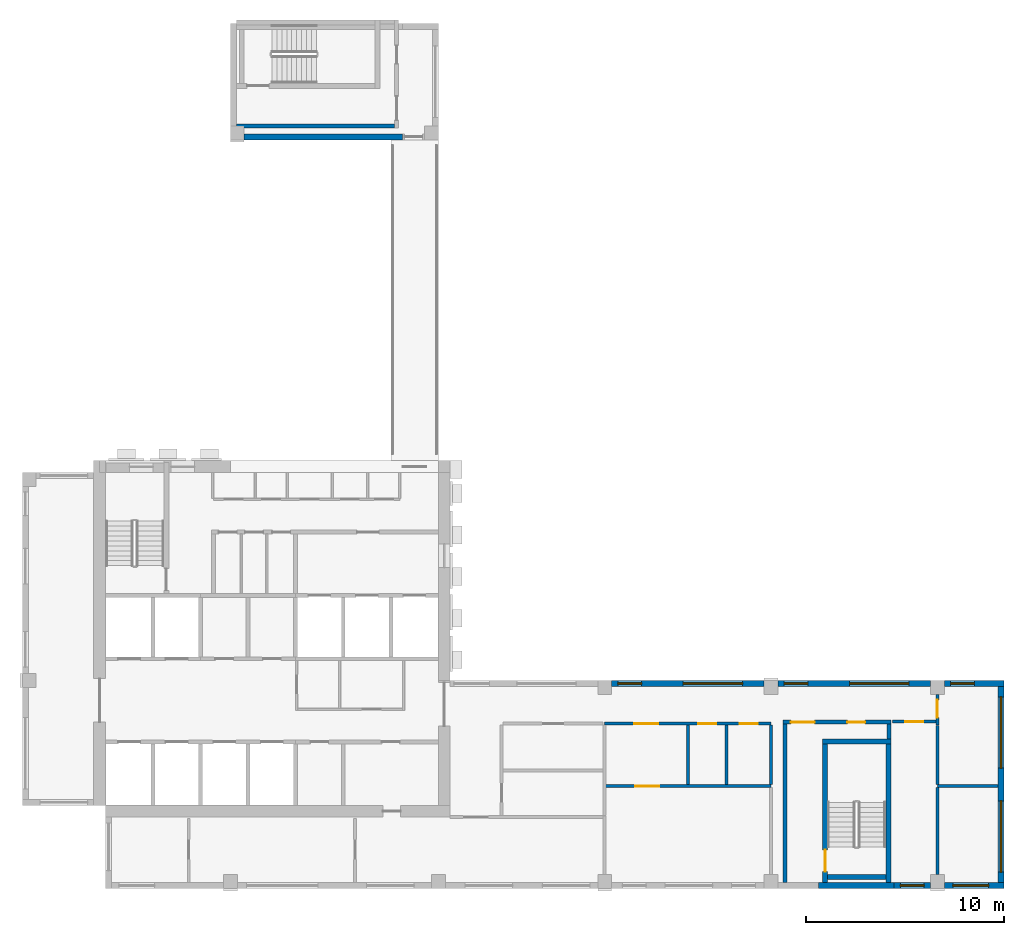
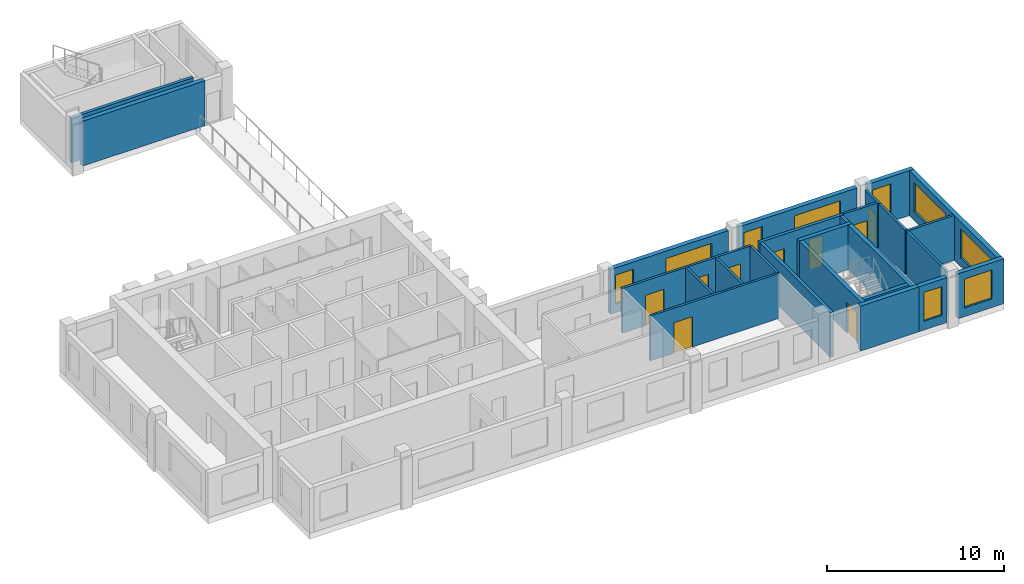
# One storey, part 4 of 9: 26 walls, 9 doors, 9 windows, 18 openings.
"""IFC4 building model written with IfcOpenShell, lengths in metres."""

import ifcopenshell
import ifcopenshell.guid

model = None  # the IFC model being written
_history = None  # IfcOwnerHistory: only IFC2X3 demands one
_inside = {}  # id of a spatial element -> (the spatial element, [elements in it])
_under = {}  # id of a project, library or spatial element -> (it, [spatial elements below it])
_declared = {}  # id of a project -> (the project, [libraries it declares])
_typed = {}  # id of a type object -> (the type object, [elements of that type])
_made_of = {}  # id of a material, layer set ... -> (it, [elements and type objects made of it])


def new_model(schema):
    """Start an empty IFC model of exactly this schema.

    Asked for "IFC4X3", IfcOpenShell would pick the latest addendum, in which some entities
    have other attributes; the version numbers below select the first issue.
    IFC2X3 requires an IfcOwnerHistory on every rooted entity: one is made here for all.
    """
    global model, _history
    if schema == "IFC4X3":
        model = ifcopenshell.file(schema_version=(4, 3, 0, 0))
    else:
        model = ifcopenshell.file(schema=schema)
    _inside.clear()
    _under.clear()
    _declared.clear()
    _typed.clear()
    _made_of.clear()
    _history = None
    if model.schema == "IFC2X3":
        org = make("IfcOrganization", Name="unknown")
        user = make(
            "IfcPersonAndOrganization",
            ThePerson=make("IfcPerson", FamilyName="unknown"),
            TheOrganization=org,
        )
        app = make(
            "IfcApplication",
            ApplicationDeveloper=org,
            Version="unknown",
            ApplicationFullName="unknown",
            ApplicationIdentifier="unknown",
        )
        _history = make(
            "IfcOwnerHistory",
            OwningUser=user,
            OwningApplication=app,
            ChangeAction="ADDED",
            CreationDate=0,
        )
    return model


def make(cls, **values):
    """One entity of the class cls with the attributes given. An attribute that is None is left unset."""
    return model.create_entity(
        cls, **{name: value for name, value in values.items() if value is not None}
    )


def rooted(cls, **values):
    """An entity with a GlobalId (a new one), such as an element, a storey or a relation."""
    return make(cls, GlobalId=ifcopenshell.guid.new(), OwnerHistory=_history, **values)


def si_unit(unit_type, name, prefix=None):
    """IfcSIUnit, for example si_unit("LENGTHUNIT", "METRE", prefix="MILLI")."""
    return make("IfcSIUnit", UnitType=unit_type, Prefix=prefix, Name=name)


def assignment(units):
    """IfcUnitAssignment: the units of a project."""
    return None if units is None else make("IfcUnitAssignment", Units=units)


def point(xyz):
    """IfcCartesianPoint."""
    return None if xyz is None else make("IfcCartesianPoint", Coordinates=xyz)


def direction(xyz):
    """IfcDirection."""
    return None if xyz is None else make("IfcDirection", DirectionRatios=xyz)


def frame(location, z_axis=None, x_axis=None):
    """IfcAxis2Placement3D, a coordinate frame: its origin and axes. An axis left out is left unset."""
    return make(
        "IfcAxis2Placement3D",
        Location=point(location),
        Axis=direction(z_axis),
        RefDirection=direction(x_axis),
    )


def frame_2d(location, x_axis=None):
    """IfcAxis2Placement2D, a coordinate frame in the plane: its origin and x axis."""
    return make(
        "IfcAxis2Placement2D", Location=point(location), RefDirection=direction(x_axis)
    )


def origin():
    """The frame at (0, 0, 0) with its axes left unset."""
    return frame((0.0, 0.0, 0.0))


def place(relative_to, where):
    """IfcLocalPlacement: puts the frame where relative to a parent placement (None: the world)."""
    return make(
        "IfcLocalPlacement", PlacementRelTo=relative_to, RelativePlacement=where
    )


def context(
    kind, dimensions, precision=None, world=None, true_north=None, identifier=None
):
    """IfcGeometricRepresentationContext, for example the 3D "Model" context."""
    return make(
        "IfcGeometricRepresentationContext",
        ContextIdentifier=identifier,
        ContextType=kind,
        CoordinateSpaceDimension=dimensions,
        Precision=precision,
        WorldCoordinateSystem=world,
        TrueNorth=true_north,
    )


def subcontext(parent, identifier, kind, view, scale=None):
    """IfcGeometricRepresentationSubContext, for example "Body" below "Model"."""
    return make(
        "IfcGeometricRepresentationSubContext",
        ContextIdentifier=identifier,
        ContextType=kind,
        ParentContext=parent,
        TargetScale=scale,
        TargetView=view,
    )


def project(units=None, contexts=None):
    """IfcProject with its units and contexts."""
    return rooted(
        "IfcProject",
        Name="project",
        RepresentationContexts=contexts,
        UnitsInContext=assignment(units),
    )


def spatial(cls, under=None, at=None, **own):
    """A site, building, storey or space (cls), placed at a placement, below another one or the project."""
    s = rooted(cls, ObjectPlacement=at, **own)
    if under is not None:
        _under.setdefault(under.id(), (under, []))[1].append(s)
    return s


def profile(cls, at=None, kind="AREA", **sizes):
    """A parametric profile (cls). Its sizes go by their IFC names, for example OverallWidth=200.0."""
    return make(cls, ProfileType=kind, Position=at, **sizes)


def rectangle(**sizes):
    """IfcRectangleProfileDef."""
    return profile("IfcRectangleProfileDef", **sizes)


def extrude(swept, where, along, depth):
    """IfcExtrudedAreaSolid: the profile swept, set in the frame where, extruded along a direction by depth."""
    return make(
        "IfcExtrudedAreaSolid",
        SweptArea=swept,
        Position=where,
        ExtrudedDirection=direction(along),
        Depth=depth,
    )


def shape(context_of_items, identifier, shape_type, items):
    """IfcShapeRepresentation: the items that make up one representation, for example the "Body"."""
    return make(
        "IfcShapeRepresentation",
        ContextOfItems=context_of_items,
        RepresentationIdentifier=identifier,
        RepresentationType=shape_type,
        Items=items,
    )


def source(mapping_origin, context_of_items, identifier, shape_type, items):
    """IfcRepresentationMap: a shape defined once, which mapped items show again and again."""
    return make(
        "IfcRepresentationMap",
        MappingOrigin=mapping_origin,
        MappedRepresentation=shape(context_of_items, identifier, shape_type, items),
    )


def transform(
    local_origin,
    x_axis=None,
    y_axis=None,
    z_axis=None,
    scale=None,
    scale2=None,
    scale3=None,
    uniform=True,
):
    """IfcCartesianTransformationOperator3D, or its non-uniform kind. x_axis, y_axis, z_axis: its Axis1, 2, 3."""
    if uniform:
        return make(
            "IfcCartesianTransformationOperator3D",
            Axis1=direction(x_axis),
            Axis2=direction(y_axis),
            LocalOrigin=point(local_origin),
            Scale=scale,
            Axis3=direction(z_axis),
        )
    return make(
        "IfcCartesianTransformationOperator3DnonUniform",
        Axis1=direction(x_axis),
        Axis2=direction(y_axis),
        LocalOrigin=point(local_origin),
        Scale=scale,
        Axis3=direction(z_axis),
        Scale2=scale2,
        Scale3=scale3,
    )


def mapped(mapping_source, mapping_target):
    """IfcMappedItem: shows the shape of a source again, moved by a transform."""
    return make(
        "IfcMappedItem", MappingSource=mapping_source, MappingTarget=mapping_target
    )


def material(Name=None, Category=None):
    """IfcMaterial."""
    return make("IfcMaterial", Name=Name, Category=Category)


def layer(
    of_material, thickness, ventilated=None, Name=None, Category=None, Priority=None
):
    """IfcMaterialLayer: one layer of a wall or slab, of a material (None: an air gap)."""
    return make(
        "IfcMaterialLayer",
        Material=of_material,
        LayerThickness=thickness,
        IsVentilated=ventilated,
        Name=Name,
        Category=Category,
        Priority=Priority,
    )


def layer_set(layers, Name=None):
    """IfcMaterialLayerSet."""
    return make("IfcMaterialLayerSet", MaterialLayers=layers, LayerSetName=Name)


def made_of(thing, what):
    """Note that an element or type object is made of a material, layer set ...; save() writes the relation."""
    if what is not None:
        _made_of.setdefault(what.id(), (what, []))[1].append(thing)
    return thing


def type_object(cls, material=None, **own):
    """A type object (cls), such as IfcWallType, which elements share."""
    return made_of(rooted(cls, **own), material)


def element(
    cls,
    number,
    at=None,
    inside=None,
    cuts=None,
    type_object=None,
    material=None,
    context=None,
    identifier="Body",
    shape_type=None,
    held_by="IfcProductDefinitionShape",
    body=None,
    shapes=None,
    **own,
):
    """One element of the class cls, such as IfcWall. Its Tag is "e" and its number.

    at: its placement. inside: the storey or other place that contains it. cuts: it is an
    opening in that element (IfcRelVoidsElement). A single representation is given by context,
    identifier, shape_type and body (its items); several are given by shapes. held_by: the class
    of the entity that holds the representations. save() writes the other relations.
    """
    e = rooted(cls, Tag="e%d" % number, ObjectPlacement=at, **own)
    if body is not None:
        shapes = [shape(context, identifier, shape_type, body)]
    if shapes is not None:
        e.Representation = make(held_by, Representations=shapes)
    if inside is not None:
        _inside.setdefault(inside.id(), (inside, []))[1].append(e)
    if cuts is not None:
        rooted(
            "IfcRelVoidsElement", RelatingBuildingElement=cuts, RelatedOpeningElement=e
        )
    if type_object is not None:
        _typed.setdefault(type_object.id(), (type_object, []))[1].append(e)
    return made_of(e, material)


def fill(opening, filler):
    """IfcRelFillsElement: the door or window that sits in an opening."""
    return rooted(
        "IfcRelFillsElement",
        RelatingOpeningElement=opening,
        RelatedBuildingElement=filler,
    )


def aggregate(whole, parts):
    """IfcRelAggregates: a whole, such as a stair, and the parts it consists of."""
    return rooted("IfcRelAggregates", RelatingObject=whole, RelatedObjects=parts)


def save(model, path):
    """Write the relations noted so far, then the file.

    IfcRelAggregates (storeys below a building ...), IfcRelContainedInSpatialStructure (elements
    in a storey), IfcRelDefinesByType, IfcRelAssociatesMaterial and IfcRelDeclares: one each for
    every whole, place, type object, material and project.
    """
    for whole, parts in _under.values():
        aggregate(whole, parts)
    for where, things in _inside.values():
        rooted(
            "IfcRelContainedInSpatialStructure",
            RelatedElements=things,
            RelatingStructure=where,
        )
    for kind, things in _typed.values():
        rooted("IfcRelDefinesByType", RelatedObjects=things, RelatingType=kind)
    for what, things in _made_of.values():
        rooted("IfcRelAssociatesMaterial", RelatedObjects=things, RelatingMaterial=what)
    for by, libraries in _declared.values():
        rooted("IfcRelDeclares", RelatingContext=by, RelatedDefinitions=libraries)
    model.write(path)


model = new_model("IFC4")

# Units and contexts
model_context = context("Model", 3, precision=1e-05, world=origin(), true_north=direction((0.0, 1.0)))
body_context = subcontext(model_context, "Body", "Model", "MODEL_VIEW")
ifc_project = project(units=[si_unit("LENGTHUNIT", "METRE"), si_unit("AREAUNIT", "SQUARE_METRE"), si_unit("VOLUMEUNIT", "CUBIC_METRE"), si_unit("PLANEANGLEUNIT", "RADIAN"), si_unit("MASSUNIT", "GRAM", prefix="KILO")], contexts=[model_context])

# Site, building, storey
site_placement = place(None, origin())
site = spatial("IfcSite", under=ifc_project, at=site_placement, CompositionType="ELEMENT")
building_placement = place(site_placement, origin())
building = spatial("IfcBuilding", under=site, at=building_placement, Name="Aurelian Terraces", CompositionType="ELEMENT")
storey_placement = place(building_placement, frame((0.0, 0.0, 316.0)))
storey = spatial("IfcBuildingStorey", under=building, at=storey_placement, Name="L73", CompositionType="ELEMENT", Elevation=316.0)

# Walls
ifc_material_1 = material(Name="Gypsum board on steel studs", Category="steel")
ifc_layer_1 = layer(ifc_material_1, 0.15)
ifc_layer_set_1 = layer_set([ifc_layer_1], Name="Fire partition 150")
wall_type_1 = type_object("IfcWallType", Name="Fire partition 150", PredefinedType="PARTITIONING", material=ifc_layer_set_1)
wall_1_placement = place(storey_placement, frame((46.2, 5.25, 0.0), z_axis=(0.0, 0.0, 1.0), x_axis=(0.0, 1.0, 0.0)))
element("IfcWall", 1, at=wall_1_placement, inside=storey, type_object=wall_type_1, Name="Party wall", PredefinedType="PARTITIONING", context=body_context, shape_type="SweptSolid", body=[
    extrude(rectangle(XDim=2.98, YDim=0.15, at=frame_2d((1.49, 0.0))), origin(), (0.0, 0.0, 1.0), 3.1),
])
ifc_layer_2 = layer(ifc_material_1, 0.15)
ifc_layer_set_2 = layer_set([ifc_layer_2], Name="Partition 150")
wall_type_2 = type_object("IfcWallType", Name="Partition 150", PredefinedType="PARTITIONING", material=ifc_layer_set_2)
wall_2_placement = place(storey_placement, frame((33.6049, 5.25, 0.0), z_axis=(0.0, 0.0, 1.0), x_axis=(0.0, 1.0, 0.0)))
element("IfcWall", 2, at=wall_2_placement, inside=storey, type_object=wall_type_2, Name="Partition", PredefinedType="PARTITIONING", context=body_context, shape_type="SweptSolid", body=[
    extrude(rectangle(XDim=3.0, YDim=0.15, at=frame_2d((1.5, 0.0))), origin(), (0.0, 0.0, 1.0), 3.1),
])

# Wall, openings, windows
ifc_material_2 = material(Name="Terracotta rainscreen cladding", Category="masonry")
ifc_layer_3 = layer(ifc_material_2, 0.3)
ifc_layer_set_3 = layer_set([ifc_layer_3], Name="EW-300")
wall_type_3 = type_object("IfcWallType", Name="EW-300", PredefinedType="STANDARD", material=ifc_layer_set_3)
shared_shape_1 = source(origin(), body_context, "Body", "SweptSolid", [
    extrude(rectangle(XDim=7.7, YDim=0.3, at=frame_2d((3.85, 0.0))), origin(), (0.0, 0.0, 1.0), 3.1),
])
wall_3_placement = place(storey_placement, frame((45.85, 10.35, 0.0), z_axis=(0.0, 0.0, 1.0), x_axis=(-1.0, 0.0, 0.0)))
wall_3 = element("IfcWall", 3, at=wall_3_placement, inside=storey, type_object=wall_type_3, Name="External wall L73 F03.8", PredefinedType="STANDARD", context=body_context, shape_type="MappedRepresentation", body=[
    mapped(shared_shape_1, transform((0.0, 0.0, 0.0), scale=1.0)),
])
shared_shape_2 = source(origin(), body_context, "Body", "SweptSolid", [
    extrude(rectangle(XDim=3.0, YDim=2.0, at=frame_2d((1.5, 1.0))), frame((0.0, 0.16, 0.0), z_axis=(0.0, -1.0, 0.0), x_axis=(1.0, 0.0, 0.0)), (0.0, 0.0, 1.0), 0.32),
])
opening_1_placement = place(wall_3_placement, frame((1.09, 0.0, 0.6)))
opening_1 = element("IfcOpeningElement", 4, at=opening_1_placement, cuts=wall_3, Name="Opening W3020", PredefinedType="OPENING", context=body_context, shape_type="MappedRepresentation", body=[
    mapped(shared_shape_2, transform((0.0, 0.0, 0.0), scale=1.0)),
])
shared_shape_3 = source(origin(), body_context, "Body", "SweptSolid", [
    extrude(rectangle(XDim=1.2, YDim=2.0, at=frame_2d((0.6, 1.0))), frame((0.0, 0.16, 0.0), z_axis=(0.0, -1.0, 0.0), x_axis=(1.0, 0.0, 0.0)), (0.0, 0.0, 1.0), 0.32),
])
opening_2_placement = place(wall_3_placement, frame((6.19, 0.0, 0.6)))
opening_2 = element("IfcOpeningElement", 5, at=opening_2_placement, cuts=wall_3, Name="Opening W1220", PredefinedType="OPENING", context=body_context, shape_type="MappedRepresentation", body=[
    mapped(shared_shape_3, transform((0.0, 0.0, 0.0), scale=1.0)),
])
ifc_material_3 = material(Name="Clear glazing", Category="glass")
window_type_1 = type_object("IfcWindowType", Name="W-3000x2000", PartitioningType="SINGLE_PANEL", PredefinedType="WINDOW", material=ifc_material_3)
shared_shape_4 = source(origin(), body_context, "Body", "SweptSolid", [
    extrude(rectangle(XDim=3.0, YDim=2.0, at=frame_2d((1.5, 1.0))), frame((0.0, 0.03, 0.0), z_axis=(0.0, -1.0, 0.0), x_axis=(1.0, 0.0, 0.0)), (0.0, 0.0, 1.0), 0.06),
])
window_1_placement = place(opening_1_placement, origin())
window_1 = element("IfcWindow", 6, at=window_1_placement, inside=storey, type_object=window_type_1, Name="Window L73 L73-F03-08-1", OverallHeight=2.0, OverallWidth=3.0, PartitioningType="SINGLE_PANEL", PredefinedType="WINDOW", context=body_context, shape_type="MappedRepresentation", body=[
    mapped(shared_shape_4, transform((0.0, 0.0, 0.0), scale=1.0)),
])
fill(opening_1, window_1)
window_type_2 = type_object("IfcWindowType", Name="W-1200x2000", PartitioningType="SINGLE_PANEL", PredefinedType="WINDOW", material=ifc_material_3)
shared_shape_5 = source(origin(), body_context, "Body", "SweptSolid", [
    extrude(rectangle(XDim=1.2, YDim=2.0, at=frame_2d((0.6, 1.0))), frame((0.0, 0.03, 0.0), z_axis=(0.0, -1.0, 0.0), x_axis=(1.0, 0.0, 0.0)), (0.0, 0.0, 1.0), 0.06),
])
window_2_placement = place(opening_2_placement, origin())
window_2 = element("IfcWindow", 7, at=window_2_placement, inside=storey, type_object=window_type_2, Name="Window L73 L73-F03-08-2", OverallHeight=2.0, OverallWidth=1.2, PartitioningType="SINGLE_PANEL", PredefinedType="WINDOW", context=body_context, shape_type="MappedRepresentation", body=[
    mapped(shared_shape_5, transform((0.0, 0.0, 0.0), scale=1.0)),
])
fill(opening_2, window_2)

wall_4_placement = place(storey_placement, frame((37.45, 10.35, 0.0), z_axis=(0.0, 0.0, 1.0), x_axis=(-1.0, 0.0, 0.0)))
wall_4 = element("IfcWall", 8, at=wall_4_placement, inside=storey, type_object=wall_type_3, Name="External wall L73 F03.8", PredefinedType="STANDARD", context=body_context, shape_type="MappedRepresentation", body=[
    mapped(shared_shape_1, transform((0.0, 0.0, 0.0), scale=1.0)),
])
opening_3_placement = place(wall_4_placement, frame((1.09, 0.0, 0.6)))
opening_3 = element("IfcOpeningElement", 9, at=opening_3_placement, cuts=wall_4, Name="Opening W3020", PredefinedType="OPENING", context=body_context, shape_type="MappedRepresentation", body=[
    mapped(shared_shape_2, transform((0.0, 0.0, 0.0), scale=1.0)),
])
opening_4_placement = place(wall_4_placement, frame((6.19, 0.0, 0.6)))
opening_4 = element("IfcOpeningElement", 10, at=opening_4_placement, cuts=wall_4, Name="Opening W1220", PredefinedType="OPENING", context=body_context, shape_type="MappedRepresentation", body=[
    mapped(shared_shape_3, transform((0.0, 0.0, 0.0), scale=1.0)),
])
window_3_placement = place(opening_3_placement, origin())
window_3 = element("IfcWindow", 11, at=window_3_placement, inside=storey, type_object=window_type_1, Name="Window L73 L73-F03-08-3", OverallHeight=2.0, OverallWidth=3.0, PartitioningType="SINGLE_PANEL", PredefinedType="WINDOW", context=body_context, shape_type="MappedRepresentation", body=[
    mapped(shared_shape_4, transform((0.0, 0.0, 0.0), scale=1.0)),
])
fill(opening_3, window_3)
window_4_placement = place(opening_4_placement, origin())
window_4 = element("IfcWindow", 12, at=window_4_placement, inside=storey, type_object=window_type_2, Name="Window L73 L73-F03-08-4", OverallHeight=2.0, OverallWidth=1.2, PartitioningType="SINGLE_PANEL", PredefinedType="WINDOW", context=body_context, shape_type="MappedRepresentation", body=[
    mapped(shared_shape_5, transform((0.0, 0.0, 0.0), scale=1.0)),
])
fill(opening_4, window_4)

# Wall, opening, window
shared_shape_6 = source(origin(), body_context, "Body", "SweptSolid", [
    extrude(rectangle(XDim=3.01, YDim=0.3, at=frame_2d((1.505, 0.0))), origin(), (0.0, 0.0, 1.0), 3.1),
])
wall_5_placement = place(storey_placement, frame((46.55, 0.15, 0.0), z_axis=(0.0, 0.0, 1.0), x_axis=(1.0, 0.0, 0.0)))
wall_5 = element("IfcWall", 13, at=wall_5_placement, inside=storey, type_object=wall_type_3, Name="External wall L73 F01.6", PredefinedType="STANDARD", context=body_context, shape_type="MappedRepresentation", body=[
    mapped(shared_shape_6, transform((0.0, 0.0, 0.0), scale=1.0)),
])
shared_shape_7 = source(origin(), body_context, "Body", "SweptSolid", [
    extrude(rectangle(XDim=1.8, YDim=2.0, at=frame_2d((0.9, 1.0))), frame((0.0, 0.16, 0.0), z_axis=(0.0, -1.0, 0.0), x_axis=(1.0, 0.0, 0.0)), (0.0, 0.0, 1.0), 0.32),
])
opening_5_placement = place(wall_5_placement, frame((0.43, 0.0, 0.6)))
opening_5 = element("IfcOpeningElement", 14, at=opening_5_placement, cuts=wall_5, Name="Opening W1820", PredefinedType="OPENING", context=body_context, shape_type="MappedRepresentation", body=[
    mapped(shared_shape_7, transform((0.0, 0.0, 0.0), scale=1.0)),
])
window_type_3 = type_object("IfcWindowType", Name="W-1800x2000", PartitioningType="SINGLE_PANEL", PredefinedType="WINDOW", material=ifc_material_3)
shared_shape_8 = source(origin(), body_context, "Body", "SweptSolid", [
    extrude(rectangle(XDim=1.8, YDim=2.0, at=frame_2d((0.9, 1.0))), frame((0.0, 0.03, 0.0), z_axis=(0.0, -1.0, 0.0), x_axis=(1.0, 0.0, 0.0)), (0.0, 0.0, 1.0), 0.06),
])
window_5_placement = place(opening_5_placement, origin())
window_5 = element("IfcWindow", 15, at=window_5_placement, inside=storey, type_object=window_type_3, Name="Window L73 L73-F01-06-0", OverallHeight=2.0, OverallWidth=1.8, PartitioningType="SINGLE_PANEL", PredefinedType="WINDOW", context=body_context, shape_type="MappedRepresentation", body=[
    mapped(shared_shape_8, transform((0.0, 0.0, 0.0), scale=1.0)),
])
fill(opening_5, window_5)

wall_6_placement = place(storey_placement, frame((49.56, 10.35, 0.0), z_axis=(0.0, 0.0, 1.0), x_axis=(-1.0, 0.0, 0.0)))
wall_6 = element("IfcWall", 16, at=wall_6_placement, inside=storey, type_object=wall_type_3, Name="External wall L73 F03.8", PredefinedType="STANDARD", context=body_context, shape_type="MappedRepresentation", body=[
    mapped(shared_shape_6, transform((0.0, 0.0, 0.0), scale=1.0)),
])
opening_6_placement = place(wall_6_placement, frame((1.5, 0.0, 0.6)))
opening_6 = element("IfcOpeningElement", 17, at=opening_6_placement, cuts=wall_6, Name="Opening W1220", PredefinedType="OPENING", context=body_context, shape_type="MappedRepresentation", body=[
    mapped(shared_shape_3, transform((0.0, 0.0, 0.0), scale=1.0)),
])
window_6_placement = place(opening_6_placement, origin())
window_6 = element("IfcWindow", 18, at=window_6_placement, inside=storey, type_object=window_type_2, Name="Window L73 L73-F03-08-0", OverallHeight=2.0, OverallWidth=1.2, PartitioningType="SINGLE_PANEL", PredefinedType="WINDOW", context=body_context, shape_type="MappedRepresentation", body=[
    mapped(shared_shape_5, transform((0.0, 0.0, 0.0), scale=1.0)),
])
fill(opening_6, window_6)

# Wall
ifc_material_4 = material(Name="Concrete fc' 40 MPa", Category="concrete")
ifc_layer_4 = layer(ifc_material_4, 0.3)
ifc_layer_set_4 = layer_set([ifc_layer_4], Name="STAIR BAY WALL 300")
wall_type_4 = type_object("IfcWallType", Name="STAIR BAY WALL 300", PredefinedType="SOLIDWALL", material=ifc_layer_set_4)
shared_shape_9 = source(origin(), body_context, "Body", "SweptSolid", [
    extrude(rectangle(XDim=3.8, YDim=0.3, at=frame_2d((1.9, 0.0))), origin(), (0.0, 0.0, 1.0), 3.1),
])
wall_7_placement = place(storey_placement, frame((40.2, 0.15, 0.0), z_axis=(0.0, 0.0, 1.0), x_axis=(1.0, 0.0, 0.0)))
element("IfcWall", 19, at=wall_7_placement, inside=storey, type_object=wall_type_4, Name="Stair bay wall L73 F01.5", PredefinedType="SOLIDWALL", context=body_context, shape_type="MappedRepresentation", body=[
    mapped(shared_shape_9, transform((0.0, 0.0, 0.0), scale=1.0)),
])

# Wall, opening, window
shared_shape_10 = source(origin(), body_context, "Body", "SweptSolid", [
    extrude(rectangle(XDim=1.85, YDim=0.3, at=frame_2d((0.925, 0.0))), origin(), (0.0, 0.0, 1.0), 3.1),
])
wall_8_placement = place(storey_placement, frame((44.0, 0.15, 0.0), z_axis=(0.0, 0.0, 1.0), x_axis=(1.0, 0.0, 0.0)))
wall_8 = element("IfcWall", 20, at=wall_8_placement, inside=storey, type_object=wall_type_3, Name="External wall L73 F01.5", PredefinedType="STANDARD", context=body_context, shape_type="MappedRepresentation", body=[
    mapped(shared_shape_10, transform((0.0, 0.0, 0.0), scale=1.0)),
])
opening_7_placement = place(wall_8_placement, frame((0.325, 0.0, 0.6)))
opening_7 = element("IfcOpeningElement", 21, at=opening_7_placement, cuts=wall_8, Name="Opening W1220", PredefinedType="OPENING", context=body_context, shape_type="MappedRepresentation", body=[
    mapped(shared_shape_3, transform((0.0, 0.0, 0.0), scale=1.0)),
])
window_7_placement = place(opening_7_placement, origin())
window_7 = element("IfcWindow", 22, at=window_7_placement, inside=storey, type_object=window_type_2, Name="Window L73 L73-F01-05-P2", OverallHeight=2.0, OverallWidth=1.2, PartitioningType="SINGLE_PANEL", PredefinedType="WINDOW", context=body_context, shape_type="MappedRepresentation", body=[
    mapped(shared_shape_5, transform((0.0, 0.0, 0.0), scale=1.0)),
])
fill(opening_7, window_7)

# Wall, openings, windows
shared_shape_11 = source(origin(), body_context, "Body", "SweptSolid", [
    extrude(rectangle(XDim=10.5, YDim=0.3, at=frame_2d((5.25, 0.0))), origin(), (0.0, 0.0, 1.0), 3.1),
])
wall_9_placement = place(storey_placement, frame((49.41, 0.0, 0.0), z_axis=(0.0, 0.0, 1.0), x_axis=(0.0, 1.0, 0.0)))
wall_9 = element("IfcWall", 23, at=wall_9_placement, inside=storey, type_object=wall_type_3, Name="External wall L73 F02.7", PredefinedType="STANDARD", context=body_context, shape_type="MappedRepresentation", body=[
    mapped(shared_shape_11, transform((0.0, 0.0, 0.0), scale=1.0)),
])
shared_shape_12 = source(origin(), body_context, "Body", "SweptSolid", [
    extrude(rectangle(XDim=3.6, YDim=2.0, at=frame_2d((1.8, 1.0))), frame((0.0, 0.16, 0.0), z_axis=(0.0, -1.0, 0.0), x_axis=(1.0, 0.0, 0.0)), (0.0, 0.0, 1.0), 0.32),
])
opening_8_placement = place(wall_9_placement, frame((0.825, 0.0, 0.6)))
opening_8 = element("IfcOpeningElement", 24, at=opening_8_placement, cuts=wall_9, Name="Opening W3620", PredefinedType="OPENING", context=body_context, shape_type="MappedRepresentation", body=[
    mapped(shared_shape_12, transform((0.0, 0.0, 0.0), scale=1.0)),
])
opening_9_placement = place(wall_9_placement, frame((6.075, 0.0, 0.6)))
opening_9 = element("IfcOpeningElement", 25, at=opening_9_placement, cuts=wall_9, Name="Opening W3620", PredefinedType="OPENING", context=body_context, shape_type="MappedRepresentation", body=[
    mapped(shared_shape_12, transform((0.0, 0.0, 0.0), scale=1.0)),
])
window_type_4 = type_object("IfcWindowType", Name="W-3600x2000", PartitioningType="SINGLE_PANEL", PredefinedType="WINDOW", material=ifc_material_3)
shared_shape_13 = source(origin(), body_context, "Body", "SweptSolid", [
    extrude(rectangle(XDim=3.6, YDim=2.0, at=frame_2d((1.8, 1.0))), frame((0.0, 0.03, 0.0), z_axis=(0.0, -1.0, 0.0), x_axis=(1.0, 0.0, 0.0)), (0.0, 0.0, 1.0), 0.06),
])
window_8_placement = place(opening_8_placement, origin())
window_8 = element("IfcWindow", 26, at=window_8_placement, inside=storey, type_object=window_type_4, Name="Window L73 L73-F02-07-0", OverallHeight=2.0, OverallWidth=3.6, PartitioningType="SINGLE_PANEL", PredefinedType="WINDOW", context=body_context, shape_type="MappedRepresentation", body=[
    mapped(shared_shape_13, transform((0.0, 0.0, 0.0), scale=1.0)),
])
fill(opening_8, window_8)
window_9_placement = place(opening_9_placement, origin())
window_9 = element("IfcWindow", 27, at=window_9_placement, inside=storey, type_object=window_type_4, Name="Window L73 L73-F02-07-1", OverallHeight=2.0, OverallWidth=3.6, PartitioningType="SINGLE_PANEL", PredefinedType="WINDOW", context=body_context, shape_type="MappedRepresentation", body=[
    mapped(shared_shape_13, transform((0.0, 0.0, 0.0), scale=1.0)),
])
fill(opening_9, window_9)

# Wall
shared_shape_14 = source(origin(), body_context, "Body", "SweptSolid", [
    extrude(rectangle(XDim=8.0, YDim=0.3, at=frame_2d((4.0, 0.0))), origin(), (0.0, 0.0, 1.0), 3.1),
])
wall_10_placement = place(storey_placement, frame((11.2, 37.95, 0.0), z_axis=(0.0, 0.0, 1.0), x_axis=(1.0, 0.0, 0.0)))
element("IfcWall", 28, at=wall_10_placement, inside=storey, type_object=wall_type_4, Name="Stair bay wall L73 F15.21", PredefinedType="SOLIDWALL", context=body_context, shape_type="MappedRepresentation", body=[
    mapped(shared_shape_14, transform((0.0, 0.0, 0.0), scale=1.0)),
])

# Wall, opening, door
ifc_layer_5 = layer(ifc_material_4, 0.25)
ifc_layer_set_5 = layer_set([ifc_layer_5], Name="Stair enclosure wall 250")
wall_type_5 = type_object("IfcWallType", Name="Stair enclosure wall 250", PredefinedType="SOLIDWALL", material=ifc_layer_set_5)
shared_shape_15 = source(origin(), body_context, "Body", "SweptSolid", [
    extrude(rectangle(XDim=7.0, YDim=0.25, at=frame_2d((3.5, 0.0))), origin(), (0.0, 0.0, 1.0), 3.1),
])
wall_11_placement = place(storey_placement, frame((40.525, 0.3, 0.0), z_axis=(0.0, 0.0, 1.0), x_axis=(0.0, 1.0, 0.0)))
wall_11 = element("IfcWall", 29, at=wall_11_placement, inside=storey, type_object=wall_type_5, Name="L73 core wall ST-S2-W", PredefinedType="SOLIDWALL", context=body_context, shape_type="MappedRepresentation", body=[
    mapped(shared_shape_15, transform((0.0, 0.0, 0.0), scale=1.0)),
])
shared_shape_16 = source(origin(), body_context, "Body", "SweptSolid", [
    extrude(rectangle(XDim=1.1, YDim=2.1, at=frame_2d((0.55, 1.05))), frame((0.0, 0.135, 0.0), z_axis=(0.0, -1.0, 0.0), x_axis=(1.0, 0.0, 0.0)), (0.0, 0.0, 1.0), 0.27),
])
opening_10_placement = place(wall_11_placement, frame((0.55, 0.0, 0.0)))
opening_10 = element("IfcOpeningElement", 30, at=opening_10_placement, cuts=wall_11, Name="Opening 67625", PredefinedType="OPENING", context=body_context, shape_type="MappedRepresentation", body=[
    mapped(shared_shape_16, transform((0.0, 0.0, 0.0), scale=1.0)),
])
ifc_material_5 = material(Name="Steel door leaf", Category="steel")
door_type_1 = type_object("IfcDoorType", Name="Core fire door 1100x2100 right", OperationType="SINGLE_SWING_RIGHT", PredefinedType="DOOR", material=ifc_material_5)
shared_shape_17 = source(origin(), body_context, "Body", "SweptSolid", [
    extrude(rectangle(XDim=1.1, YDim=2.1, at=frame_2d((0.55, 1.05))), frame((0.0, 0.025, 0.0), z_axis=(0.0, -1.0, 0.0), x_axis=(1.0, 0.0, 0.0)), (0.0, 0.0, 1.0), 0.05),
])
door_1_placement = place(opening_10_placement, origin())
door_1 = element("IfcDoor", 31, at=door_1_placement, inside=storey, type_object=door_type_1, Name="Stair door 67625", OperationType="SINGLE_SWING_RIGHT", OverallHeight=2.1, OverallWidth=1.1, PredefinedType="DOOR", context=body_context, shape_type="MappedRepresentation", body=[
    mapped(shared_shape_17, transform((0.0, 0.0, 0.0), scale=1.0)),
])
fill(opening_10, door_1)

# Walls
wall_12_placement = place(storey_placement, frame((43.725, 0.3, 0.0), z_axis=(0.0, 0.0, 1.0), x_axis=(0.0, 1.0, 0.0)))
element("IfcWall", 32, at=wall_12_placement, inside=storey, type_object=wall_type_5, Name="L73 core wall ST-S2-E", PredefinedType="SOLIDWALL", context=body_context, shape_type="MappedRepresentation", body=[
    mapped(shared_shape_15, transform((0.0, 0.0, 0.0), scale=1.0)),
])
shared_shape_18 = source(origin(), body_context, "Body", "SweptSolid", [
    extrude(rectangle(XDim=3.45, YDim=0.25, at=frame_2d((1.725, 0.0))), origin(), (0.0, 0.0, 1.0), 3.1),
])
wall_13_placement = place(storey_placement, frame((40.4, 7.425, 0.0), z_axis=(0.0, 0.0, 1.0), x_axis=(1.0, 0.0, 0.0)))
element("IfcWall", 33, at=wall_13_placement, inside=storey, type_object=wall_type_5, Name="L73 core wall ST-S2-N", PredefinedType="SOLIDWALL", context=body_context, shape_type="MappedRepresentation", body=[
    mapped(shared_shape_18, transform((0.0, 0.0, 0.0), scale=1.0)),
])
ifc_layer_6 = layer(ifc_material_1, 0.2)
ifc_layer_set_6 = layer_set([ifc_layer_6], Name="Core partition 200")
wall_type_6 = type_object("IfcWallType", Name="Core partition 200", PredefinedType="PARTITIONING", material=ifc_layer_set_6)
shared_shape_19 = source(origin(), body_context, "Body", "SweptSolid", [
    extrude(rectangle(XDim=8.0, YDim=0.2, at=frame_2d((4.0, 0.0))), origin(), (0.0, 0.0, 1.0), 3.1),
])
for number, where, z_axis, x_axis, name in (
    (34, (38.5, 0.3, 0.0), (0.0, 0.0, 1.0), (0.0, 1.0, 0.0), "L73 core wall ST-S2-VW"),
    (35, (10.8, 38.5, 0.0), (0.0, 0.0, 1.0), (1.0, 0.0, 0.0), "L73 core wall ST-S3U-VW"),
):
    element("IfcWall", number, at=place(storey_placement, frame(where, z_axis=z_axis, x_axis=x_axis)), inside=storey, type_object=wall_type_6, Name=name, PredefinedType="PARTITIONING", context=body_context, shape_type="MappedRepresentation", body=[
        mapped(shared_shape_19, transform((0.0, 0.0, 0.0), scale=1.0)),
    ])

# Wall, openings, doors
shared_shape_20 = source(origin(), body_context, "Body", "SweptSolid", [
    extrude(rectangle(XDim=5.45, YDim=0.2, at=frame_2d((2.725, 0.0))), origin(), (0.0, 0.0, 1.0), 3.1),
])
wall_14_placement = place(storey_placement, frame((38.4, 8.4, 0.0), z_axis=(0.0, 0.0, 1.0), x_axis=(1.0, 0.0, 0.0)))
wall_14 = element("IfcWall", 36, at=wall_14_placement, inside=storey, type_object=wall_type_6, Name="L73 core wall ST-S2-BN", PredefinedType="PARTITIONING", context=body_context, shape_type="MappedRepresentation", body=[
    mapped(shared_shape_20, transform((0.0, 0.0, 0.0), scale=1.0)),
])
shared_shape_21 = source(origin(), body_context, "Body", "SweptSolid", [
    extrude(rectangle(XDim=1.2, YDim=2.1, at=frame_2d((0.6, 1.05))), frame((0.0, 0.11, 0.0), z_axis=(0.0, -1.0, 0.0), x_axis=(1.0, 0.0, 0.0)), (0.0, 0.0, 1.0), 0.22),
])
opening_11_placement = place(wall_14_placement, frame((0.4, 0.0, 0.0)))
opening_11 = element("IfcOpeningElement", 37, at=opening_11_placement, cuts=wall_14, Name="Opening 67626", PredefinedType="OPENING", context=body_context, shape_type="MappedRepresentation", body=[
    mapped(shared_shape_21, transform((0.0, 0.0, 0.0), scale=1.0)),
])
shared_shape_22 = source(origin(), body_context, "Body", "SweptSolid", [
    extrude(rectangle(XDim=0.9, YDim=2.1, at=frame_2d((0.45, 1.05))), frame((0.0, 0.11, 0.0), z_axis=(0.0, -1.0, 0.0), x_axis=(1.0, 0.0, 0.0)), (0.0, 0.0, 1.0), 0.22),
])
opening_12_placement = place(wall_14_placement, frame((3.25, 0.0, 0.0)))
opening_12 = element("IfcOpeningElement", 38, at=opening_12_placement, cuts=wall_14, Name="Opening 67627", PredefinedType="OPENING", context=body_context, shape_type="MappedRepresentation", body=[
    mapped(shared_shape_22, transform((0.0, 0.0, 0.0), scale=1.0)),
])
door_type_2 = type_object("IfcDoorType", Name="Core riser door 900x2100 right", OperationType="SINGLE_SWING_RIGHT", PredefinedType="DOOR", material=ifc_material_5)
shared_shape_23 = source(origin(), body_context, "Body", "SweptSolid", [
    extrude(rectangle(XDim=0.9, YDim=2.1, at=frame_2d((0.45, 1.05))), frame((0.0, 0.025, 0.0), z_axis=(0.0, -1.0, 0.0), x_axis=(1.0, 0.0, 0.0)), (0.0, 0.0, 1.0), 0.05),
])
door_2_placement = place(opening_12_placement, origin())
door_2 = element("IfcDoor", 39, at=door_2_placement, inside=storey, type_object=door_type_2, Name="Riser door 67627", OperationType="SINGLE_SWING_RIGHT", OverallHeight=2.1, OverallWidth=0.9, PredefinedType="DOOR", context=body_context, shape_type="MappedRepresentation", body=[
    mapped(shared_shape_23, transform((0.0, 0.0, 0.0), scale=1.0)),
])
fill(opening_12, door_2)
door_type_3 = type_object("IfcDoorType", Name="Core fire door 1200x2100", OperationType="SINGLE_SWING_LEFT", PredefinedType="DOOR", material=ifc_material_5)
shared_shape_24 = source(origin(), body_context, "Body", "SweptSolid", [
    extrude(rectangle(XDim=1.2, YDim=2.1, at=frame_2d((0.6, 1.05))), frame((0.0, 0.025, 0.0), z_axis=(0.0, -1.0, 0.0), x_axis=(1.0, 0.0, 0.0)), (0.0, 0.0, 1.0), 0.05),
])
door_3_placement = place(opening_11_placement, origin())
door_3 = element("IfcDoor", 40, at=door_3_placement, inside=storey, type_object=door_type_3, Name="Vestibule door 67626", OperationType="SINGLE_SWING_LEFT", OverallHeight=2.1, OverallWidth=1.2, PredefinedType="DOOR", context=body_context, shape_type="MappedRepresentation", body=[
    mapped(shared_shape_24, transform((0.0, 0.0, 0.0), scale=1.0)),
])
fill(opening_11, door_3)

# Walls
shared_shape_25 = source(origin(), body_context, "Body", "SweptSolid", [
    extrude(rectangle(XDim=0.75, YDim=0.2, at=frame_2d((0.375, 0.0))), origin(), (0.0, 0.0, 1.0), 3.1),
])
wall_15_placement = place(storey_placement, frame((43.75, 7.55, 0.0), z_axis=(0.0, 0.0, 1.0), x_axis=(0.0, 1.0, 0.0)))
element("IfcWall", 41, at=wall_15_placement, inside=storey, type_object=wall_type_6, Name="L73 core wall ST-S2-RE", PredefinedType="PARTITIONING", context=body_context, shape_type="MappedRepresentation", body=[
    mapped(shared_shape_25, transform((0.0, 0.0, 0.0), scale=1.0)),
])
shared_shape_26 = source(origin(), body_context, "Body", "SweptSolid", [
    extrude(rectangle(XDim=2.95, YDim=0.25, at=frame_2d((1.475, 0.0))), origin(), (0.0, 0.0, 1.0), 3.1),
])
wall_16_placement = place(storey_placement, frame((40.65, 0.575, 0.0), z_axis=(0.0, 0.0, 1.0), x_axis=(1.0, 0.0, 0.0)))
element("IfcWall", 42, at=wall_16_placement, inside=storey, type_object=wall_type_5, Name="L73 core wall ST-S2-SS", PredefinedType="SOLIDWALL", context=body_context, shape_type="MappedRepresentation", body=[
    mapped(shared_shape_26, transform((0.0, 0.0, 0.0), scale=1.0)),
])

# Wall, opening, door
shared_shape_27 = source(origin(), body_context, "Body", "SweptSolid", [
    extrude(rectangle(XDim=8.4, YDim=0.15, at=frame_2d((4.2, 0.0))), origin(), (0.0, 0.0, 1.0), 3.1),
])
wall_17_placement = place(storey_placement, frame((37.8, 5.175, 0.0), z_axis=(0.0, 0.0, 1.0), x_axis=(-1.0, 0.0, 0.0)))
wall_17 = element("IfcWall", 43, at=wall_17_placement, inside=storey, type_object=wall_type_2, Name="Partition", PredefinedType="PARTITIONING", context=body_context, shape_type="MappedRepresentation", body=[
    mapped(shared_shape_27, transform((0.0, 0.0, 0.0), scale=1.0)),
])
shared_shape_28 = source(origin(), body_context, "Body", "SweptSolid", [
    extrude(rectangle(XDim=1.2, YDim=2.1, at=frame_2d((0.6, 1.05))), frame((0.0, 0.085, 0.0), z_axis=(0.0, -1.0, 0.0), x_axis=(1.0, 0.0, 0.0)), (0.0, 0.0, 1.0), 0.17),
])
opening_13_placement = place(wall_17_placement, frame((5.6476, 0.0, 0.0)))
opening_13 = element("IfcOpeningElement", 44, at=opening_13_placement, cuts=wall_17, Name="Opening 773008", PredefinedType="OPENING", context=body_context, shape_type="MappedRepresentation", body=[
    mapped(shared_shape_28, transform((0.0, 0.0, 0.0), scale=1.0)),
])
ifc_material_6 = material(Name="Timber door leaf", Category="wood")
door_type_4 = type_object("IfcDoorType", Name="Room door 1200x2100 left", OperationType="SINGLE_SWING_LEFT", PredefinedType="DOOR", material=ifc_material_6)
door_4_placement = place(opening_13_placement, origin())
door_4 = element("IfcDoor", 45, at=door_4_placement, inside=storey, type_object=door_type_4, Name="Door 773008", OperationType="SINGLE_SWING_LEFT", OverallHeight=2.1, OverallWidth=1.2, PredefinedType="DOOR", context=body_context, shape_type="MappedRepresentation", body=[
    mapped(shared_shape_24, transform((0.0, 0.0, 0.0), scale=1.0)),
])
fill(opening_13, door_4)

# Wall, openings, doors
wall_18_placement = place(storey_placement, frame((37.8, 8.325, 0.0), z_axis=(0.0, 0.0, 1.0), x_axis=(-1.0, 0.0, 0.0)))
wall_18 = element("IfcWall", 46, at=wall_18_placement, inside=storey, type_object=wall_type_1, Name="Corridor wall", PredefinedType="PARTITIONING", context=body_context, shape_type="MappedRepresentation", body=[
    mapped(shared_shape_27, transform((0.0, 0.0, 0.0), scale=1.0)),
])
opening_14_placement = place(wall_18_placement, frame((5.6976, 0.0, 0.0)))
opening_14 = element("IfcOpeningElement", 47, at=opening_14_placement, cuts=wall_18, Name="Opening 773007", PredefinedType="OPENING", context=body_context, shape_type="MappedRepresentation", body=[
    mapped(shared_shape_28, transform((0.0, 0.0, 0.0), scale=1.0)),
])
shared_shape_29 = source(origin(), body_context, "Body", "SweptSolid", [
    extrude(rectangle(XDim=0.9, YDim=2.1, at=frame_2d((0.45, 1.05))), frame((0.0, 0.085, 0.0), z_axis=(0.0, -1.0, 0.0), x_axis=(1.0, 0.0, 0.0)), (0.0, 0.0, 1.0), 0.17),
])
opening_15_placement = place(wall_18_placement, frame((2.7734, 0.0, 0.0)))
opening_15 = element("IfcOpeningElement", 48, at=opening_15_placement, cuts=wall_18, Name="Opening 773009", PredefinedType="OPENING", context=body_context, shape_type="MappedRepresentation", body=[
    mapped(shared_shape_29, transform((0.0, 0.0, 0.0), scale=1.0)),
])
opening_16_placement = place(wall_18_placement, frame((0.6758, 0.0, 0.0)))
opening_16 = element("IfcOpeningElement", 49, at=opening_16_placement, cuts=wall_18, Name="Opening 773010", PredefinedType="OPENING", context=body_context, shape_type="MappedRepresentation", body=[
    mapped(shared_shape_29, transform((0.0, 0.0, 0.0), scale=1.0)),
])
door_type_5 = type_object("IfcDoorType", Name="Entrance fire door 900x2100 right", OperationType="SINGLE_SWING_RIGHT", PredefinedType="DOOR", material=ifc_material_5)
door_5_placement = place(opening_15_placement, origin())
door_5 = element("IfcDoor", 50, at=door_5_placement, inside=storey, type_object=door_type_5, Name="Door 773009", OperationType="SINGLE_SWING_RIGHT", OverallHeight=2.1, OverallWidth=0.9, PredefinedType="DOOR", context=body_context, shape_type="MappedRepresentation", body=[
    mapped(shared_shape_23, transform((0.0, 0.0, 0.0), scale=1.0)),
])
fill(opening_15, door_5)
door_type_6 = type_object("IfcDoorType", Name="Entrance fire door 900x2100 left", OperationType="SINGLE_SWING_LEFT", PredefinedType="DOOR", material=ifc_material_5)
door_6_placement = place(opening_16_placement, origin())
door_6 = element("IfcDoor", 51, at=door_6_placement, inside=storey, type_object=door_type_6, Name="Door 773010", OperationType="SINGLE_SWING_LEFT", OverallHeight=2.1, OverallWidth=0.9, PredefinedType="DOOR", context=body_context, shape_type="MappedRepresentation", body=[
    mapped(shared_shape_23, transform((0.0, 0.0, 0.0), scale=1.0)),
])
fill(opening_16, door_6)
door_type_7 = type_object("IfcDoorType", Name="Entrance fire door 1200x2100 right", OperationType="SINGLE_SWING_RIGHT", PredefinedType="DOOR", material=ifc_material_5)
door_7_placement = place(opening_14_placement, origin())
door_7 = element("IfcDoor", 52, at=door_7_placement, inside=storey, type_object=door_type_7, Name="Door 773007", OperationType="SINGLE_SWING_RIGHT", OverallHeight=2.1, OverallWidth=1.2, PredefinedType="DOOR", context=body_context, shape_type="MappedRepresentation", body=[
    mapped(shared_shape_24, transform((0.0, 0.0, 0.0), scale=1.0)),
])
fill(opening_14, door_7)

# Wall
shared_shape_30 = source(origin(), body_context, "Body", "SweptSolid", [
    extrude(rectangle(XDim=3.06, YDim=0.15, at=frame_2d((1.53, 0.0))), origin(), (0.0, 0.0, 1.0), 3.1),
])
wall_19_placement = place(storey_placement, frame((49.26, 5.175, 0.0), z_axis=(0.0, 0.0, 1.0), x_axis=(-1.0, 0.0, 0.0)))
element("IfcWall", 53, at=wall_19_placement, inside=storey, type_object=wall_type_2, Name="Partition", PredefinedType="PARTITIONING", context=body_context, shape_type="MappedRepresentation", body=[
    mapped(shared_shape_30, transform((0.0, 0.0, 0.0), scale=1.0)),
])

# Wall, opening, door
shared_shape_31 = source(origin(), body_context, "Body", "SweptSolid", [
    extrude(rectangle(XDim=2.2, YDim=0.15, at=frame_2d((1.1, 0.0))), origin(), (0.0, 0.0, 1.0), 3.1),
])
wall_20_placement = place(storey_placement, frame((46.125, 8.425, 0.0), z_axis=(0.0, 0.0, 1.0), x_axis=(-1.0, 0.0, 0.0)))
wall_20 = element("IfcWall", 54, at=wall_20_placement, inside=storey, type_object=wall_type_2, Name="Partition", PredefinedType="PARTITIONING", context=body_context, shape_type="MappedRepresentation", body=[
    mapped(shared_shape_31, transform((0.0, 0.0, 0.0), scale=1.0)),
])
opening_17_placement = place(wall_20_placement, frame((0.65, 0.0, 0.0)))
opening_17 = element("IfcOpeningElement", 55, at=opening_17_placement, cuts=wall_20, Name="Opening 773006", PredefinedType="OPENING", context=body_context, shape_type="MappedRepresentation", body=[
    mapped(shared_shape_29, transform((0.0, 0.0, 0.0), scale=1.0)),
])
door_type_8 = type_object("IfcDoorType", Name="Room door 900x2100 left", OperationType="SINGLE_SWING_LEFT", PredefinedType="DOOR", material=ifc_material_6)
door_8_placement = place(opening_17_placement, origin())
door_8 = element("IfcDoor", 56, at=door_8_placement, inside=storey, type_object=door_type_8, Name="Door 773006", OperationType="SINGLE_SWING_LEFT", OverallHeight=2.1, OverallWidth=0.9, PredefinedType="DOOR", context=body_context, shape_type="MappedRepresentation", body=[
    mapped(shared_shape_23, transform((0.0, 0.0, 0.0), scale=1.0)),
])
fill(opening_17, door_8)

shared_shape_32 = source(origin(), body_context, "Body", "SweptSolid", [
    extrude(rectangle(XDim=1.551, YDim=0.15, at=frame_2d((0.7755, 0.0))), origin(), (0.0, 0.0, 1.0), 3.1),
])
wall_21_placement = place(storey_placement, frame((46.2, 9.801, 0.0), z_axis=(0.0, 0.0, 1.0), x_axis=(0.0, -1.0, 0.0)))
wall_21 = element("IfcWall", 57, at=wall_21_placement, inside=storey, type_object=wall_type_2, Name="Partition", PredefinedType="PARTITIONING", context=body_context, shape_type="MappedRepresentation", body=[
    mapped(shared_shape_32, transform((0.0, 0.0, 0.0), scale=1.0)),
])
opening_18_placement = place(wall_21_placement, frame((0.275, 0.0, 0.0)))
opening_18 = element("IfcOpeningElement", 58, at=opening_18_placement, cuts=wall_21, Name="Opening 773011", PredefinedType="OPENING", context=body_context, shape_type="MappedRepresentation", body=[
    mapped(shared_shape_29, transform((0.0, 0.0, 0.0), scale=1.0)),
])
door_9_placement = place(opening_18_placement, origin())
door_9 = element("IfcDoor", 59, at=door_9_placement, inside=storey, type_object=door_type_8, Name="Door 773011", OperationType="SINGLE_SWING_LEFT", OverallHeight=2.1, OverallWidth=0.9, PredefinedType="DOOR", context=body_context, shape_type="MappedRepresentation", body=[
    mapped(shared_shape_23, transform((0.0, 0.0, 0.0), scale=1.0)),
])
fill(opening_18, door_9)

# Walls
shared_shape_33 = source(origin(), body_context, "Body", "SweptSolid", [
    extrude(rectangle(XDim=3.0, YDim=0.15, at=frame_2d((1.5, 0.0))), origin(), (0.0, 0.0, 1.0), 3.1),
])
wall_22_placement = place(storey_placement, frame((35.5483, 5.25, 0.0), z_axis=(0.0, 0.0, 1.0), x_axis=(0.0, 1.0, 0.0)))
element("IfcWall", 60, at=wall_22_placement, inside=storey, type_object=wall_type_2, Name="Partition", PredefinedType="PARTITIONING", context=body_context, shape_type="MappedRepresentation", body=[
    mapped(shared_shape_33, transform((0.0, 0.0, 0.0), scale=1.0)),
])
wall_23_placement = place(storey_placement, frame((37.8, 5.25, 0.0), z_axis=(0.0, 0.0, 1.0), x_axis=(0.0, 1.0, 0.0)))
element("IfcWall", 61, at=wall_23_placement, inside=storey, type_object=wall_type_1, Name="Party wall", PredefinedType="PARTITIONING", context=body_context, shape_type="MappedRepresentation", body=[
    mapped(shared_shape_33, transform((0.0, 0.0, 0.0), scale=1.0)),
])
shared_shape_34 = source(origin(), body_context, "Body", "SweptSolid", [
    extrude(rectangle(XDim=4.401, YDim=0.15, at=frame_2d((2.2005, 0.0))), origin(), (0.0, 0.0, 1.0), 3.1),
])
wall_24_placement = place(storey_placement, frame((46.2, 0.699, 0.0), z_axis=(0.0, 0.0, 1.0), x_axis=(0.0, 1.0, 0.0)))
element("IfcWall", 62, at=wall_24_placement, inside=storey, type_object=wall_type_1, Name="Party wall", PredefinedType="PARTITIONING", context=body_context, shape_type="MappedRepresentation", body=[
    mapped(shared_shape_34, transform((0.0, 0.0, 0.0), scale=1.0)),
])

save(model, "model.ifc")
